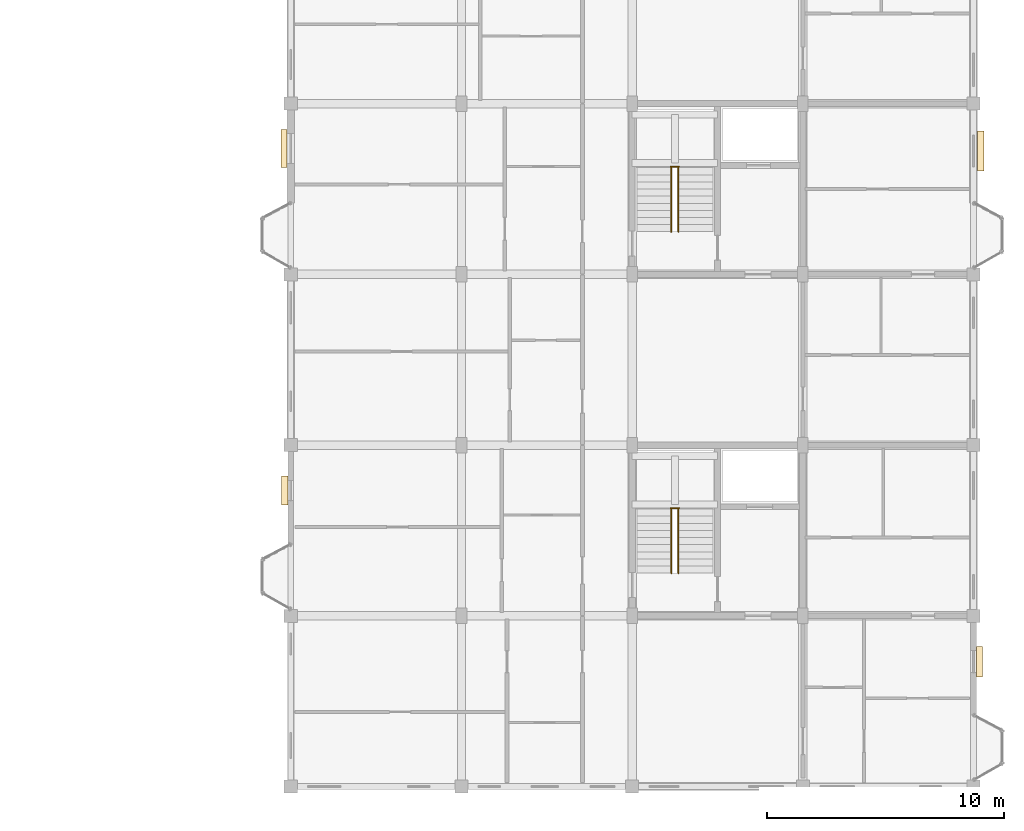
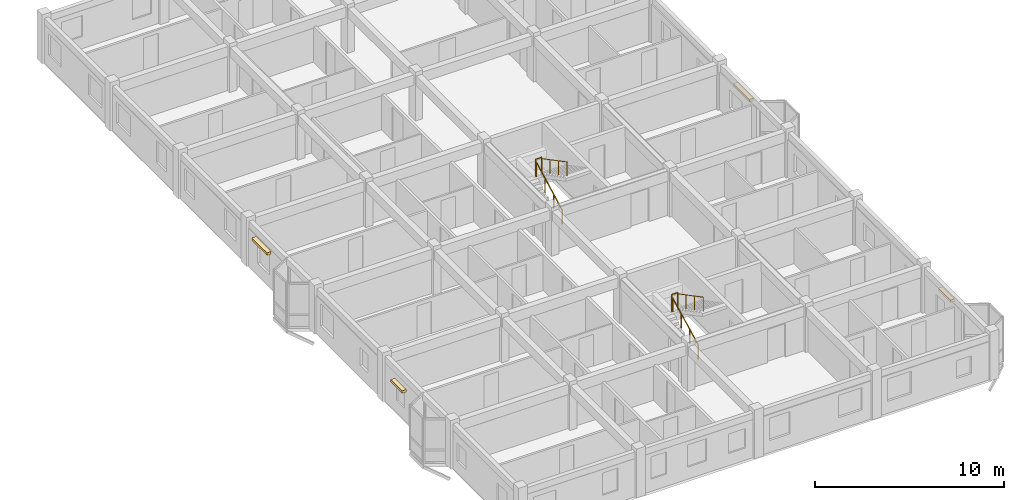
# One storey, part 76 of 77: 6 railings, 4 coverings.
"""IFC4 building model written with IfcOpenShell, lengths in metres."""

import ifcopenshell
import ifcopenshell.guid

model = None  # the IFC model being written
_history = None  # IfcOwnerHistory: only IFC2X3 demands one
_inside = {}  # id of a spatial element -> (the spatial element, [elements in it])
_under = {}  # id of a project, library or spatial element -> (it, [spatial elements below it])
_declared = {}  # id of a project -> (the project, [libraries it declares])
_typed = {}  # id of a type object -> (the type object, [elements of that type])
_made_of = {}  # id of a material, layer set ... -> (it, [elements and type objects made of it])


def new_model(schema):
    """Start an empty IFC model of exactly this schema.

    Asked for "IFC4X3", IfcOpenShell would pick the latest addendum, in which some entities
    have other attributes; the version numbers below select the first issue.
    IFC2X3 requires an IfcOwnerHistory on every rooted entity: one is made here for all.
    """
    global model, _history
    if schema == "IFC4X3":
        model = ifcopenshell.file(schema_version=(4, 3, 0, 0))
    else:
        model = ifcopenshell.file(schema=schema)
    _inside.clear()
    _under.clear()
    _declared.clear()
    _typed.clear()
    _made_of.clear()
    _history = None
    if model.schema == "IFC2X3":
        org = make("IfcOrganization", Name="unknown")
        user = make(
            "IfcPersonAndOrganization",
            ThePerson=make("IfcPerson", FamilyName="unknown"),
            TheOrganization=org,
        )
        app = make(
            "IfcApplication",
            ApplicationDeveloper=org,
            Version="unknown",
            ApplicationFullName="unknown",
            ApplicationIdentifier="unknown",
        )
        _history = make(
            "IfcOwnerHistory",
            OwningUser=user,
            OwningApplication=app,
            ChangeAction="ADDED",
            CreationDate=0,
        )
    return model


def make(cls, **values):
    """One entity of the class cls with the attributes given. An attribute that is None is left unset."""
    return model.create_entity(
        cls, **{name: value for name, value in values.items() if value is not None}
    )


def rooted(cls, **values):
    """An entity with a GlobalId (a new one), such as an element, a storey or a relation."""
    return make(cls, GlobalId=ifcopenshell.guid.new(), OwnerHistory=_history, **values)


def si_unit(unit_type, name, prefix=None):
    """IfcSIUnit, for example si_unit("LENGTHUNIT", "METRE", prefix="MILLI")."""
    return make("IfcSIUnit", UnitType=unit_type, Prefix=prefix, Name=name)


def assignment(units):
    """IfcUnitAssignment: the units of a project."""
    return None if units is None else make("IfcUnitAssignment", Units=units)


def point(xyz):
    """IfcCartesianPoint."""
    return None if xyz is None else make("IfcCartesianPoint", Coordinates=xyz)


def direction(xyz):
    """IfcDirection."""
    return None if xyz is None else make("IfcDirection", DirectionRatios=xyz)


def frame(location, z_axis=None, x_axis=None):
    """IfcAxis2Placement3D, a coordinate frame: its origin and axes. An axis left out is left unset."""
    return make(
        "IfcAxis2Placement3D",
        Location=point(location),
        Axis=direction(z_axis),
        RefDirection=direction(x_axis),
    )


def frame_2d(location, x_axis=None):
    """IfcAxis2Placement2D, a coordinate frame in the plane: its origin and x axis."""
    return make(
        "IfcAxis2Placement2D", Location=point(location), RefDirection=direction(x_axis)
    )


def origin():
    """The frame at (0, 0, 0) with its axes left unset."""
    return frame((0.0, 0.0, 0.0))


def origin_2d():
    """The frame at (0, 0) in the plane with its x axis left unset."""
    return frame_2d((0.0, 0.0))


def place(relative_to, where):
    """IfcLocalPlacement: puts the frame where relative to a parent placement (None: the world)."""
    return make(
        "IfcLocalPlacement", PlacementRelTo=relative_to, RelativePlacement=where
    )


def context(
    kind, dimensions, precision=None, world=None, true_north=None, identifier=None
):
    """IfcGeometricRepresentationContext, for example the 3D "Model" context."""
    return make(
        "IfcGeometricRepresentationContext",
        ContextIdentifier=identifier,
        ContextType=kind,
        CoordinateSpaceDimension=dimensions,
        Precision=precision,
        WorldCoordinateSystem=world,
        TrueNorth=true_north,
    )


def subcontext(parent, identifier, kind, view, scale=None):
    """IfcGeometricRepresentationSubContext, for example "Body" below "Model"."""
    return make(
        "IfcGeometricRepresentationSubContext",
        ContextIdentifier=identifier,
        ContextType=kind,
        ParentContext=parent,
        TargetScale=scale,
        TargetView=view,
    )


def project(units=None, contexts=None):
    """IfcProject with its units and contexts."""
    return rooted(
        "IfcProject",
        Name="project",
        RepresentationContexts=contexts,
        UnitsInContext=assignment(units),
    )


def spatial(cls, under=None, at=None, **own):
    """A site, building, storey or space (cls), placed at a placement, below another one or the project."""
    s = rooted(cls, ObjectPlacement=at, **own)
    if under is not None:
        _under.setdefault(under.id(), (under, []))[1].append(s)
    return s


def profile(cls, at=None, kind="AREA", **sizes):
    """A parametric profile (cls). Its sizes go by their IFC names, for example OverallWidth=200.0."""
    return make(cls, ProfileType=kind, Position=at, **sizes)


def rectangle(**sizes):
    """IfcRectangleProfileDef."""
    return profile("IfcRectangleProfileDef", **sizes)


def circle(**sizes):
    """IfcCircleProfileDef."""
    return profile("IfcCircleProfileDef", **sizes)


def extrude(swept, where, along, depth):
    """IfcExtrudedAreaSolid: the profile swept, set in the frame where, extruded along a direction by depth."""
    return make(
        "IfcExtrudedAreaSolid",
        SweptArea=swept,
        Position=where,
        ExtrudedDirection=direction(along),
        Depth=depth,
    )


def shape(context_of_items, identifier, shape_type, items):
    """IfcShapeRepresentation: the items that make up one representation, for example the "Body"."""
    return make(
        "IfcShapeRepresentation",
        ContextOfItems=context_of_items,
        RepresentationIdentifier=identifier,
        RepresentationType=shape_type,
        Items=items,
    )


def material(Name=None, Category=None):
    """IfcMaterial."""
    return make("IfcMaterial", Name=Name, Category=Category)


def layer(
    of_material, thickness, ventilated=None, Name=None, Category=None, Priority=None
):
    """IfcMaterialLayer: one layer of a wall or slab, of a material (None: an air gap)."""
    return make(
        "IfcMaterialLayer",
        Material=of_material,
        LayerThickness=thickness,
        IsVentilated=ventilated,
        Name=Name,
        Category=Category,
        Priority=Priority,
    )


def layer_set(layers, Name=None):
    """IfcMaterialLayerSet."""
    return make("IfcMaterialLayerSet", MaterialLayers=layers, LayerSetName=Name)


def made_of(thing, what):
    """Note that an element or type object is made of a material, layer set ...; save() writes the relation."""
    if what is not None:
        _made_of.setdefault(what.id(), (what, []))[1].append(thing)
    return thing


def type_object(cls, material=None, **own):
    """A type object (cls), such as IfcWallType, which elements share."""
    return made_of(rooted(cls, **own), material)


def element(
    cls,
    number,
    at=None,
    inside=None,
    cuts=None,
    type_object=None,
    material=None,
    context=None,
    identifier="Body",
    shape_type=None,
    held_by="IfcProductDefinitionShape",
    body=None,
    shapes=None,
    **own,
):
    """One element of the class cls, such as IfcWall. Its Tag is "e" and its number.

    at: its placement. inside: the storey or other place that contains it. cuts: it is an
    opening in that element (IfcRelVoidsElement). A single representation is given by context,
    identifier, shape_type and body (its items); several are given by shapes. held_by: the class
    of the entity that holds the representations. save() writes the other relations.
    """
    e = rooted(cls, Tag="e%d" % number, ObjectPlacement=at, **own)
    if body is not None:
        shapes = [shape(context, identifier, shape_type, body)]
    if shapes is not None:
        e.Representation = make(held_by, Representations=shapes)
    if inside is not None:
        _inside.setdefault(inside.id(), (inside, []))[1].append(e)
    if cuts is not None:
        rooted(
            "IfcRelVoidsElement", RelatingBuildingElement=cuts, RelatedOpeningElement=e
        )
    if type_object is not None:
        _typed.setdefault(type_object.id(), (type_object, []))[1].append(e)
    return made_of(e, material)


def aggregate(whole, parts):
    """IfcRelAggregates: a whole, such as a stair, and the parts it consists of."""
    return rooted("IfcRelAggregates", RelatingObject=whole, RelatedObjects=parts)


def save(model, path):
    """Write the relations noted so far, then the file.

    IfcRelAggregates (storeys below a building ...), IfcRelContainedInSpatialStructure (elements
    in a storey), IfcRelDefinesByType, IfcRelAssociatesMaterial and IfcRelDeclares: one each for
    every whole, place, type object, material and project.
    """
    for whole, parts in _under.values():
        aggregate(whole, parts)
    for where, things in _inside.values():
        rooted(
            "IfcRelContainedInSpatialStructure",
            RelatedElements=things,
            RelatingStructure=where,
        )
    for kind, things in _typed.values():
        rooted("IfcRelDefinesByType", RelatedObjects=things, RelatingType=kind)
    for what, things in _made_of.values():
        rooted("IfcRelAssociatesMaterial", RelatedObjects=things, RelatingMaterial=what)
    for by, libraries in _declared.values():
        rooted("IfcRelDeclares", RelatingContext=by, RelatedDefinitions=libraries)
    model.write(path)


model = new_model("IFC4")

# Units and contexts
model_context = context("Model", 3, precision=1e-05, world=origin(), true_north=direction((0.0, 1.0)))
body_context = subcontext(model_context, "Body", "Model", "MODEL_VIEW")
ifc_project = project(units=[si_unit("LENGTHUNIT", "METRE"), si_unit("AREAUNIT", "SQUARE_METRE"), si_unit("VOLUMEUNIT", "CUBIC_METRE"), si_unit("PLANEANGLEUNIT", "RADIAN"), si_unit("MASSUNIT", "GRAM", prefix="KILO"), si_unit("THERMODYNAMICTEMPERATUREUNIT", "KELVIN"), si_unit("POWERUNIT", "WATT")], contexts=[model_context])

# Site, building, storey
site_placement = place(None, origin())
site = spatial("IfcSite", under=ifc_project, at=site_placement, CompositionType="ELEMENT")
building_placement = place(site_placement, origin())
building = spatial("IfcBuilding", under=site, at=building_placement, Name="Tavuni Mirador Residences", CompositionType="ELEMENT")
storey_placement = place(building_placement, frame((0.0, 0.0, 17.10009765625)))
storey = spatial("IfcBuildingStorey", under=building, at=storey_placement, Name="L05", CompositionType="ELEMENT", Elevation=17.10009765625)

# Coverings
ifc_material_1 = material(Name="Natural coral limestone", Category="masonry")
ifc_layer = layer(ifc_material_1, 0.054931640625, Name="Natural coral limestone", Category="masonry")
ifc_layer_set = layer_set([ifc_layer], Name="Natural coral limestone")
covering_type = type_object("IfcCoveringType", Name="CVT-CLAD-CORAL", PredefinedType="CLADDING", material=ifc_layer_set)
covering_1_placement = place(storey_placement, frame((119.054443359375, 91.66748046875, 1.94970703125), z_axis=(0.0, 0.0, 1.0), x_axis=(0.0, 1.0, 0.0)))
element("IfcCovering", 1, at=covering_1_placement, inside=storey, type_object=covering_type, Name="HOOD-0990", PredefinedType="CLADDING", context=body_context, shape_type="SweptSolid", body=[
    extrude(rectangle(XDim=1.280029296875, YDim=0.260009765625, at=origin_2d()), origin(), (0.0, 0.0, 1.0), 0.159912109375),
])
covering_2_placement = place(storey_placement, frame((119.099609375, 113.20751953125, 1.94970703125), z_axis=(0.0, 0.0, 1.0), x_axis=(0.0, 1.0, 0.0)))
element("IfcCovering", 2, at=covering_2_placement, inside=storey, type_object=covering_type, Name="HOOD-0991", PredefinedType="CLADDING", context=body_context, shape_type="SweptSolid", body=[
    extrude(rectangle(XDim=1.679931640625, YDim=0.260009765625, at=origin_2d()), origin(), (0.0, 0.0, 1.0), 0.159912109375),
])
covering_3_placement = place(storey_placement, frame((89.715576171875, 113.3076171875, 2.23974609375), z_axis=(0.0, 0.0, 1.0), x_axis=(0.0, -1.0, 0.0)))
element("IfcCovering", 3, at=covering_3_placement, inside=storey, type_object=covering_type, Name="HOOD-0992", PredefinedType="CLADDING", context=body_context, shape_type="SweptSolid", body=[
    extrude(rectangle(XDim=1.610107421875, YDim=0.260009765625, at=origin_2d()), origin(), (0.0, 0.0, 1.0), 0.159912109375),
])
covering_4_placement = place(storey_placement, frame((89.75048828125, 98.882568359375, 1.94970703125), z_axis=(0.0, 0.0, 1.0), x_axis=(0.0, -1.0, 0.0)))
element("IfcCovering", 4, at=covering_4_placement, inside=storey, type_object=covering_type, Name="HOOD-0993", PredefinedType="CLADDING", context=body_context, shape_type="SweptSolid", body=[
    extrude(rectangle(XDim=1.2099609375, YDim=0.260009765625, at=origin_2d()), origin(), (0.0, 0.0, 1.0), 0.159912109375),
])

# Railings
ifc_material_2 = material(Name="Structural steel S355", Category="steel")
railing_type_1 = type_object("IfcRailingType", Name="RT-GR1120", PredefinedType="GUARDRAIL", material=ifc_material_2)
for number, where, name in (
    (5, (106.02001953125, 98.139892578125, 1.574951171875), "GRD-HL-ST7-L05"),
    (6, (106.02001953125, 112.5400390625, 1.574951171875), "GRD-HL-ST8-L05"),
):
    element("IfcRailing", number, at=place(storey_placement, frame(where)), inside=storey, type_object=railing_type_1, Name=name, PredefinedType="GUARDRAIL", context=body_context, shape_type="SweptSolid", body=[
        extrude(circle(Radius=0.02392578125, at=origin_2d()), frame((0.0, 0.0, 1.09619140625), z_axis=(1.0, 0.0, 0.0), x_axis=(0.0, 1.0, 0.0)), (0.0, 0.0, 1.0), 0.35986328125),
        extrude(circle(Radius=0.02099609375, at=origin_2d()), origin(), (0.0, 0.0, 1.0), 1.072021484375),
        extrude(circle(Radius=0.02099609375, at=origin_2d()), frame((0.35986328125, 0.0, 0.0)), (0.0, 0.0, 1.0), 1.072021484375),
    ])
railing_type_2 = type_object("IfcRailingType", Name="RT-HR920", PredefinedType="HANDRAIL", material=ifc_material_2)
railing_1_placement = place(storey_placement, frame((106.050048828125, 95.39990234375, 0.157470703125)))
element("IfcRailing", 7, at=railing_1_placement, inside=storey, type_object=railing_type_2, Name="HR-ST7-L05-F1", PredefinedType="HANDRAIL", context=body_context, shape_type="SweptSolid", body=[
    extrude(circle(Radius=0.02392578125, at=origin_2d()), frame((0.0, 0.0, 0.89599609375), z_axis=(0.0, 0.885414376231, 0.464802519747), x_axis=(-1.0, 0.0, 0.0)), (0.0, 0.0, 1.0), 3.049560546875),
    extrude(circle(Radius=0.02099609375, at=origin_2d()), origin(), (0.0, 0.0, 1.0), 0.871826171875),
    extrude(circle(Radius=0.02099609375, at=origin_2d()), frame((0.0, 0.900146484375, 0.472412109375)), (0.0, 0.0, 1.0), 0.871826171875),
    extrude(circle(Radius=0.02099609375, at=origin_2d()), frame((0.0, 1.800048828125, 0.945068359375)), (0.0, 0.0, 1.0), 0.871826171875),
    extrude(circle(Radius=0.02099609375, at=origin_2d()), frame((0.0, 2.7001953125, 1.41748046875)), (0.0, 0.0, 1.0), 0.871826171875),
])
railing_2_placement = place(storey_placement, frame((106.35009765625, 98.10009765625, 1.732421875)))
element("IfcRailing", 8, at=railing_2_placement, inside=storey, type_object=railing_type_2, Name="HR-ST7-L05-F2", PredefinedType="HANDRAIL", context=body_context, shape_type="SweptSolid", body=[
    extrude(circle(Radius=0.02392578125, at=origin_2d()), frame((0.0, 0.0, 0.89599609375), z_axis=(0.0, -0.885414376231, 0.464802519747), x_axis=(1.0, 0.0, 0.0)), (0.0, 0.0, 1.0), 3.049560546875),
    extrude(circle(Radius=0.02099609375, at=origin_2d()), origin(), (0.0, 0.0, 1.0), 0.871826171875),
    extrude(circle(Radius=0.02099609375, at=origin_2d()), frame((0.0, -0.900146484375, 0.472412109375)), (0.0, 0.0, 1.0), 0.871826171875),
    extrude(circle(Radius=0.02099609375, at=origin_2d()), frame((0.0, -1.800048828125, 0.945068359375)), (0.0, 0.0, 1.0), 0.871826171875),
    extrude(circle(Radius=0.02099609375, at=origin_2d()), frame((0.0, -2.7001953125, 1.41748046875)), (0.0, 0.0, 1.0), 0.871826171875),
])
railing_3_placement = place(storey_placement, frame((106.050048828125, 109.800048828125, 0.157470703125)))
element("IfcRailing", 9, at=railing_3_placement, inside=storey, type_object=railing_type_2, Name="HR-ST8-L05-F1", PredefinedType="HANDRAIL", context=body_context, shape_type="SweptSolid", body=[
    extrude(circle(Radius=0.02392578125, at=origin_2d()), frame((0.0, 0.0, 0.89599609375), z_axis=(0.0, 0.885397079081, 0.464835468048), x_axis=(-1.0, 0.0, 0.0)), (0.0, 0.0, 1.0), 3.04931640625),
    extrude(circle(Radius=0.02099609375, at=origin_2d()), origin(), (0.0, 0.0, 1.0), 0.871826171875),
    extrude(circle(Radius=0.02099609375, at=origin_2d()), frame((0.0, 0.89990234375, 0.472412109375)), (0.0, 0.0, 1.0), 0.871826171875),
    extrude(circle(Radius=0.02099609375, at=origin_2d()), frame((0.0, 1.800048828125, 0.945068359375)), (0.0, 0.0, 1.0), 0.871826171875),
    extrude(circle(Radius=0.02099609375, at=origin_2d()), frame((0.0, 2.699951171875, 1.41748046875)), (0.0, 0.0, 1.0), 0.871826171875),
])
railing_4_placement = place(storey_placement, frame((106.35009765625, 112.5, 1.732421875)))
element("IfcRailing", 10, at=railing_4_placement, inside=storey, type_object=railing_type_2, Name="HR-ST8-L05-F2", PredefinedType="HANDRAIL", context=body_context, shape_type="SweptSolid", body=[
    extrude(circle(Radius=0.02392578125, at=origin_2d()), frame((0.0, 0.0, 0.89599609375), z_axis=(0.0, -0.885397079081, 0.464835468048), x_axis=(1.0, 0.0, 0.0)), (0.0, 0.0, 1.0), 3.04931640625),
    extrude(circle(Radius=0.02099609375, at=origin_2d()), origin(), (0.0, 0.0, 1.0), 0.871826171875),
    extrude(circle(Radius=0.02099609375, at=origin_2d()), frame((0.0, -0.89990234375, 0.472412109375)), (0.0, 0.0, 1.0), 0.871826171875),
    extrude(circle(Radius=0.02099609375, at=origin_2d()), frame((0.0, -1.800048828125, 0.945068359375)), (0.0, 0.0, 1.0), 0.871826171875),
    extrude(circle(Radius=0.02099609375, at=origin_2d()), frame((0.0, -2.699951171875, 1.41748046875)), (0.0, 0.0, 1.0), 0.871826171875),
])

save(model, "model.ifc")
